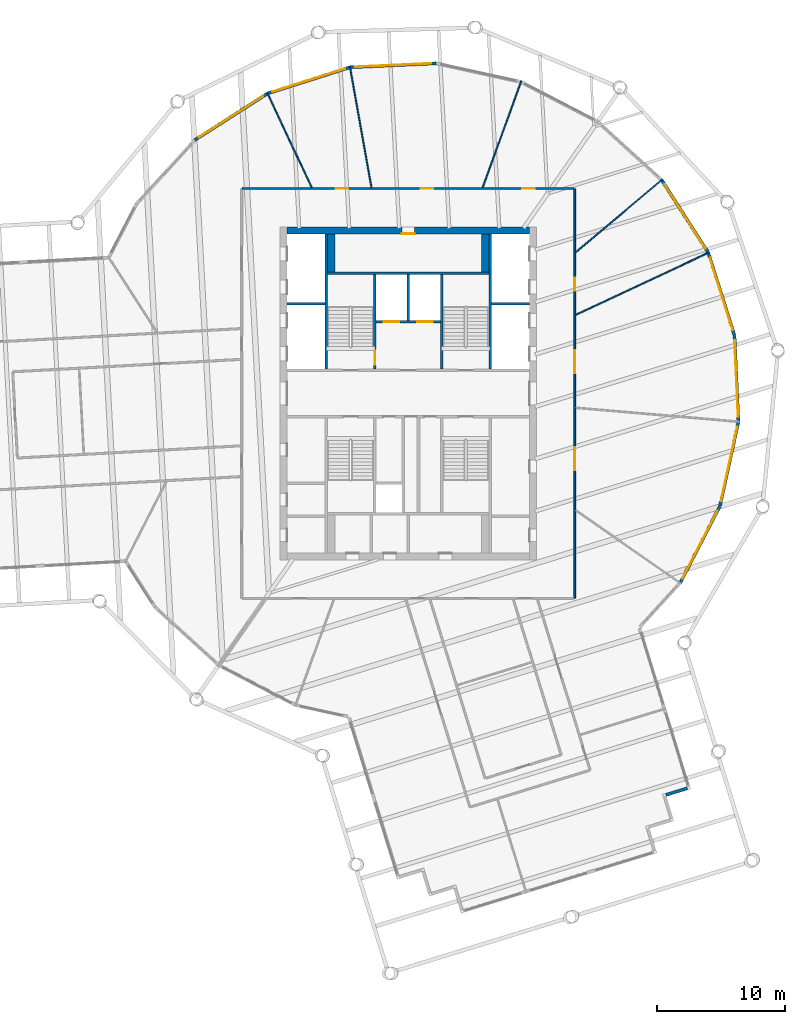
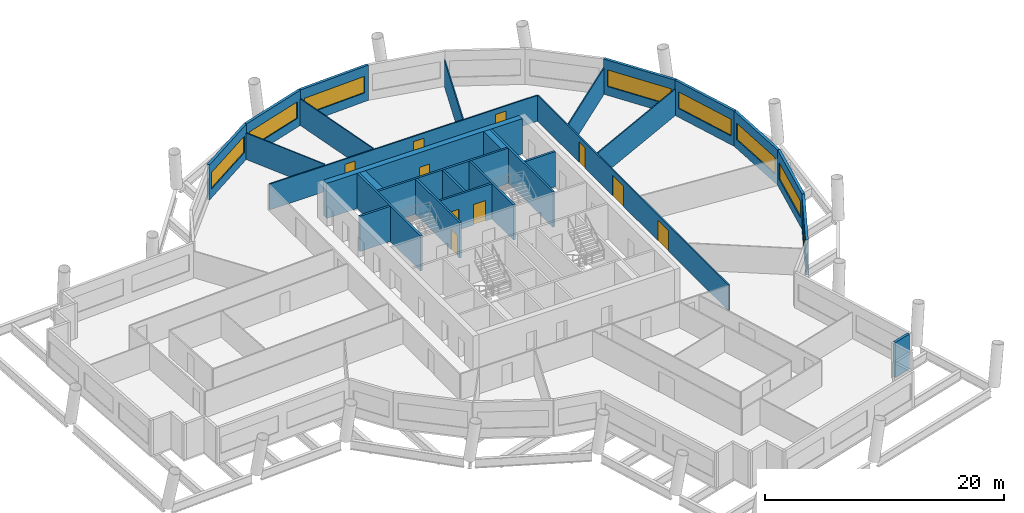
# One storey, part 6 of 11: 28 walls, 10 doors, 8 windows, 18 openings.
"""IFC4 building model written with IfcOpenShell, lengths in metres."""

from ifc_helpers import new_model, si_unit, direction, frame, frame_2d, origin, place, context, subcontext, project, spatial, rectangle, extrude, material, layer, layer_set, type_object, element, fill, save


model = new_model("IFC4")

# Units and contexts
model_context = context("Model", 3, precision=1e-05, world=origin(), true_north=direction((0.0, 1.0)))
body_context = subcontext(model_context, "Body", "Model", "MODEL_VIEW")
ifc_project = project(units=[si_unit("LENGTHUNIT", "METRE"), si_unit("AREAUNIT", "SQUARE_METRE"), si_unit("VOLUMEUNIT", "CUBIC_METRE"), si_unit("PLANEANGLEUNIT", "RADIAN"), si_unit("MASSUNIT", "GRAM", prefix="KILO")], contexts=[model_context])

# Site, building, storey
site_placement = place(None, origin())
site = spatial("IfcSite", under=ifc_project, at=site_placement, CompositionType="ELEMENT")
building_placement = place(site_placement, origin())
building = spatial("IfcBuilding", under=site, at=building_placement, Name="Tarsis Ring Headquarters", CompositionType="ELEMENT")
storey_placement = place(building_placement, frame((0.0, 0.0, 298.10009765625)))
storey = spatial("IfcBuildingStorey", under=building, at=storey_placement, Name="L70", CompositionType="ELEMENT", Elevation=298.10009765625)

# Wall, opening, door
ifc_material_1 = material(Name="Concrete C50/60", Category="concrete")
ifc_layer_1 = layer(ifc_material_1, 0.550048828125)
ifc_layer_set_1 = layer_set([ifc_layer_1], Name="Core wall 550 C50/60")
wall_type_1 = type_object("IfcWallType", Name="Core wall 550 C50/60", PredefinedType="SHEAR", material=ifc_layer_set_1)
wall_1_placement = place(storey_placement, frame((-9.449951171875, 12.72509765625, 0.0), z_axis=(0.0, 0.0, 1.0), x_axis=(1.0, 0.0, 0.0)))
wall_1 = element("IfcWall", 1, at=wall_1_placement, inside=storey, type_object=wall_type_1, Name="Core wall ON", PredefinedType="SHEAR", context=body_context, shape_type="SweptSolid", body=[
    extrude(rectangle(XDim=18.89990234375, YDim=0.550048828125, at=frame_2d((9.449951171875, 0.0))), origin(), (0.0, 0.0, 1.0), 3.599853515625),
])
opening_1_placement = place(wall_1_placement, frame((8.949951171875, 0.0, 0.0)))
opening_1 = element("IfcOpeningElement", 2, at=opening_1_placement, cuts=wall_1, Name="Opening L70-C16", PredefinedType="OPENING", context=body_context, shape_type="SweptSolid", body=[
    extrude(rectangle(XDim=1.0, YDim=2.10009765625, at=frame_2d((0.5, 1.050048828125))), frame((0.0, 0.284912109375, 0.0), z_axis=(0.0, -1.0, 0.0), x_axis=(1.0, 0.0, 0.0)), (0.0, 0.0, 1.0), 0.570068359375),
])
ifc_material_2 = material(Name="Steel S355", Category="steel")
door_type_1 = type_object("IfcDoorType", Name="Core room door 1000x2100", OperationType="SINGLE_SWING_LEFT", PredefinedType="DOOR", material=ifc_material_2)
door_1_placement = place(opening_1_placement, origin())
door_1 = element("IfcDoor", 3, at=door_1_placement, inside=storey, type_object=door_type_1, Name="Core room door L70", OperationType="SINGLE_SWING_LEFT", OverallHeight=2.10009765625, OverallWidth=1.0, PredefinedType="DOOR", context=body_context, shape_type="SweptSolid", body=[
    extrude(rectangle(XDim=1.0, YDim=2.10009765625, at=frame_2d((0.5, 1.050048828125))), frame((0.0, -0.22509765625, 0.0), z_axis=(0.0, -1.0, 0.0), x_axis=(1.0, 0.0, 0.0)), (0.0, 0.0, 1.0), 0.050048828125),
])
fill(opening_1, door_1)

# Walls
ifc_material_3 = material(Name="Gypsum board on steel studs", Category="steel")
ifc_layer_2 = layer(ifc_material_3, 0.10009765625)
ifc_layer_set_2 = layer_set([ifc_layer_2], Name="FL partition 100 unrated")
wall_type_2 = type_object("IfcWallType", Name="FL partition 100 unrated", PredefinedType="PARTITIONING", material=ifc_layer_set_2)
wall_2_placement = place(storey_placement, frame((13.072509765625, 6.129150390625, 0.0), z_axis=(0.0, 0.0, 1.0), x_axis=(0.905414860651, 0.424527890853, 0.0)))
element("IfcWall", 4, at=wall_2_placement, inside=storey, type_object=wall_type_2, Name="Partition PW3", PredefinedType="PARTITIONING", context=body_context, shape_type="SweptSolid", body=[
    extrude(rectangle(XDim=11.509765625, YDim=0.10009765625, at=frame_2d((5.7548828125, 0.0))), origin(), (0.0, 0.0, 1.0), 2.699951171875),
])
wall_3_placement = place(storey_placement, frame((-4.559326171875, 25.544189453125, 0.0), z_axis=(0.0, 0.0, 1.0), x_axis=(0.17570372565, -0.984443091698, 0.0)))
element("IfcWall", 5, at=wall_3_placement, inside=storey, type_object=wall_type_2, Name="Partition PW3", PredefinedType="PARTITIONING", context=body_context, shape_type="SweptSolid", body=[
    extrude(rectangle(XDim=9.625, YDim=0.10009765625, at=frame_2d((4.8125, 0.0))), origin(), (0.0, 0.0, 1.0), 2.699951171875),
])
wall_4_placement = place(storey_placement, frame((13.083984375, 11.025634765625, 0.0), z_axis=(0.0, 0.0, 1.0), x_axis=(0.764709145904, 0.644375606436, 0.0)))
element("IfcWall", 6, at=wall_4_placement, inside=storey, type_object=wall_type_2, Name="Partition PW3", PredefinedType="PARTITIONING", context=body_context, shape_type="SweptSolid", body=[
    extrude(rectangle(XDim=8.837646484375, YDim=0.10009765625, at=frame_2d((4.4189453125, 0.0))), origin(), (0.0, 0.0, 1.0), 2.699951171875),
])
wall_5_placement = place(storey_placement, frame((5.812744140625, 16.0751953125, 0.0), z_axis=(0.0, 0.0, 1.0), x_axis=(0.340042176136, 0.940410186274, 0.0)))
element("IfcWall", 7, at=wall_5_placement, inside=storey, type_object=wall_type_2, Name="Partition PW3", PredefinedType="PARTITIONING", context=body_context, shape_type="SweptSolid", body=[
    extrude(rectangle(XDim=8.85400390625, YDim=0.10009765625, at=frame_2d((4.427001953125, 0.0))), origin(), (0.0, 0.0, 1.0), 2.699951171875),
])
wall_6_placement = place(storey_placement, frame((-11.015380859375, 23.49365234375, 0.0), z_axis=(0.0, 0.0, 1.0), x_axis=(0.424541475271, -0.905408491111, 0.0)))
element("IfcWall", 8, at=wall_6_placement, inside=storey, type_object=wall_type_2, Name="Partition PW3", PredefinedType="PARTITIONING", context=body_context, shape_type="SweptSolid", body=[
    extrude(rectangle(XDim=8.196533203125, YDim=0.10009765625, at=frame_2d((4.09814453125, 0.0))), origin(), (0.0, 0.0, 1.0), 2.699951171875),
])

# Wall, openings, doors
ifc_layer_3 = layer(ifc_material_3, 0.125)
ifc_layer_set_3 = layer_set([ifc_layer_3], Name="FL partition 125 EI 60 H2630")
wall_type_3 = type_object("IfcWallType", Name="FL partition 125 EI 60 H2630", PredefinedType="PARTITIONING", material=ifc_layer_set_3)
wall_7_placement = place(storey_placement, frame((13.0, -16.0, 0.0), z_axis=(0.0, 0.0, 1.0), x_axis=(0.0, 1.0, 0.0)))
wall_7 = element("IfcWall", 9, at=wall_7_placement, inside=storey, type_object=wall_type_3, Name="Partition PW1H263", PredefinedType="PARTITIONING", context=body_context, shape_type="SweptSolid", body=[
    extrude(rectangle(XDim=32.0, YDim=0.125, at=frame_2d((16.0, 0.0))), origin(), (0.0, 0.0, 1.0), 2.6298828125),
])
opening_2_placement = place(wall_7_placement, frame((24.02490234375, 0.0, 0.0)))
opening_2 = element("IfcOpeningElement", 10, at=opening_2_placement, cuts=wall_7, Name="Opening D70.07", PredefinedType="OPENING", context=body_context, shape_type="SweptSolid", body=[
    extrude(rectangle(XDim=1.0, YDim=2.10009765625, at=frame_2d((0.5, 1.050048828125))), frame((0.0, 0.072509765625, 0.0), z_axis=(0.0, -1.0, 0.0), x_axis=(1.0, 0.0, 0.0)), (0.0, 0.0, 1.0), 0.14501953125),
])
opening_3_placement = place(wall_7_placement, frame((17.592529296875, 0.0, 0.0)))
opening_3 = element("IfcOpeningElement", 11, at=opening_3_placement, cuts=wall_7, Name="Opening D70.08", PredefinedType="OPENING", context=body_context, shape_type="SweptSolid", body=[
    extrude(rectangle(XDim=1.800048828125, YDim=2.10009765625, at=frame_2d((0.89990234375, 1.050048828125))), frame((0.0, 0.072509765625, 0.0), z_axis=(0.0, -1.0, 0.0), x_axis=(1.0, 0.0, 0.0)), (0.0, 0.0, 1.0), 0.14501953125),
])
opening_4_placement = place(wall_7_placement, frame((10.013916015625, 0.0, 0.0)))
opening_4 = element("IfcOpeningElement", 12, at=opening_4_placement, cuts=wall_7, Name="Opening D70.09", PredefinedType="OPENING", context=body_context, shape_type="SweptSolid", body=[
    extrude(rectangle(XDim=1.800048828125, YDim=2.10009765625, at=frame_2d((0.89990234375, 1.050048828125))), frame((0.0, 0.072509765625, 0.0), z_axis=(0.0, -1.0, 0.0), x_axis=(1.0, 0.0, 0.0)), (0.0, 0.0, 1.0), 0.14501953125),
])
ifc_material_4 = material(Name="Fire-rated timber door leaf in steel frame", Category="steel")
door_type_2 = type_object("IfcDoorType", Name="FL door FD60-1000", OperationType="NOTDEFINED", PredefinedType="DOOR", material=ifc_material_4)
door_2_placement = place(opening_2_placement, origin())
door_2 = element("IfcDoor", 13, at=door_2_placement, inside=storey, type_object=door_type_2, Name="Door D70.07", OperationType="SINGLE_SWING_LEFT", OverallHeight=2.10009765625, OverallWidth=1.0, PredefinedType="DOOR", context=body_context, shape_type="SweptSolid", body=[
    extrude(rectangle(XDim=1.0, YDim=2.10009765625, at=frame_2d((0.5, 1.050048828125))), frame((0.0, 0.02490234375, 0.0), z_axis=(0.0, -1.0, 0.0), x_axis=(1.0, 0.0, 0.0)), (0.0, 0.0, 1.0), 0.050048828125),
])
fill(opening_2, door_2)
door_type_3 = type_object("IfcDoorType", Name="FL door FD60-1800", OperationType="DOUBLE_DOOR_SINGLE_SWING", PredefinedType="DOOR", material=ifc_material_4)
door_3_placement = place(opening_3_placement, origin())
door_3 = element("IfcDoor", 14, at=door_3_placement, inside=storey, type_object=door_type_3, Name="Door D70.08", OperationType="DOUBLE_DOOR_SINGLE_SWING", OverallHeight=2.10009765625, OverallWidth=1.800048828125, PredefinedType="DOOR", context=body_context, shape_type="SweptSolid", body=[
    extrude(rectangle(XDim=1.800048828125, YDim=2.10009765625, at=frame_2d((0.89990234375, 1.050048828125))), frame((0.0, 0.02490234375, 0.0), z_axis=(0.0, -1.0, 0.0), x_axis=(1.0, 0.0, 0.0)), (0.0, 0.0, 1.0), 0.050048828125),
])
fill(opening_3, door_3)
door_4_placement = place(opening_4_placement, origin())
door_4 = element("IfcDoor", 15, at=door_4_placement, inside=storey, type_object=door_type_3, Name="Door D70.09", OperationType="DOUBLE_DOOR_SINGLE_SWING", OverallHeight=2.10009765625, OverallWidth=1.800048828125, PredefinedType="DOOR", context=body_context, shape_type="SweptSolid", body=[
    extrude(rectangle(XDim=1.800048828125, YDim=2.10009765625, at=frame_2d((0.89990234375, 1.050048828125))), frame((0.0, 0.02490234375, 0.0), z_axis=(0.0, -1.0, 0.0), x_axis=(1.0, 0.0, 0.0)), (0.0, 0.0, 1.0), 0.050048828125),
])
fill(opening_4, door_4)

wall_8_placement = place(storey_placement, frame((-12.93994140625, 16.0, 0.0), z_axis=(0.0, 0.0, 1.0), x_axis=(1.0, 0.0, 0.0)))
wall_8 = element("IfcWall", 16, at=wall_8_placement, inside=storey, type_object=wall_type_3, Name="Partition PW1H263", PredefinedType="PARTITIONING", context=body_context, shape_type="SweptSolid", body=[
    extrude(rectangle(XDim=25.8798828125, YDim=0.125, at=frame_2d((12.93994140625, 0.0))), origin(), (0.0, 0.0, 1.0), 2.6298828125),
])
opening_5_placement = place(wall_8_placement, frame((7.26123046875, 0.0, 0.0)))
opening_5 = element("IfcOpeningElement", 17, at=opening_5_placement, cuts=wall_8, Name="Opening D70.04", PredefinedType="OPENING", context=body_context, shape_type="SweptSolid", body=[
    extrude(rectangle(XDim=1.0, YDim=2.10009765625, at=frame_2d((0.5, 1.050048828125))), frame((0.0, 0.072509765625, 0.0), z_axis=(0.0, -1.0, 0.0), x_axis=(1.0, 0.0, 0.0)), (0.0, 0.0, 1.0), 0.14501953125),
])
opening_6_placement = place(wall_8_placement, frame((13.90478515625, 0.0, 0.0)))
opening_6 = element("IfcOpeningElement", 18, at=opening_6_placement, cuts=wall_8, Name="Opening D70.05", PredefinedType="OPENING", context=body_context, shape_type="SweptSolid", body=[
    extrude(rectangle(XDim=1.0, YDim=2.10009765625, at=frame_2d((0.5, 1.050048828125))), frame((0.0, 0.072509765625, 0.0), z_axis=(0.0, -1.0, 0.0), x_axis=(1.0, 0.0, 0.0)), (0.0, 0.0, 1.0), 0.14501953125),
])
opening_7_placement = place(wall_8_placement, frame((21.832763671875, 0.0, 0.0)))
opening_7 = element("IfcOpeningElement", 19, at=opening_7_placement, cuts=wall_8, Name="Opening D70.06", PredefinedType="OPENING", context=body_context, shape_type="SweptSolid", body=[
    extrude(rectangle(XDim=1.0, YDim=2.10009765625, at=frame_2d((0.5, 1.050048828125))), frame((0.0, 0.072509765625, 0.0), z_axis=(0.0, -1.0, 0.0), x_axis=(1.0, 0.0, 0.0)), (0.0, 0.0, 1.0), 0.14501953125),
])
door_5_placement = place(opening_5_placement, origin())
door_5 = element("IfcDoor", 20, at=door_5_placement, inside=storey, type_object=door_type_2, Name="Door D70.04", OperationType="SINGLE_SWING_RIGHT", OverallHeight=2.10009765625, OverallWidth=1.0, PredefinedType="DOOR", context=body_context, shape_type="SweptSolid", body=[
    extrude(rectangle(XDim=1.0, YDim=2.10009765625, at=frame_2d((0.5, 1.050048828125))), frame((0.0, 0.02490234375, 0.0), z_axis=(0.0, -1.0, 0.0), x_axis=(1.0, 0.0, 0.0)), (0.0, 0.0, 1.0), 0.050048828125),
])
fill(opening_5, door_5)
door_6_placement = place(opening_6_placement, origin())
door_6 = element("IfcDoor", 21, at=door_6_placement, inside=storey, type_object=door_type_2, Name="Door D70.05", OperationType="SINGLE_SWING_LEFT", OverallHeight=2.10009765625, OverallWidth=1.0, PredefinedType="DOOR", context=body_context, shape_type="SweptSolid", body=[
    extrude(rectangle(XDim=1.0, YDim=2.10009765625, at=frame_2d((0.5, 1.050048828125))), frame((0.0, 0.02490234375, 0.0), z_axis=(0.0, -1.0, 0.0), x_axis=(1.0, 0.0, 0.0)), (0.0, 0.0, 1.0), 0.050048828125),
])
fill(opening_6, door_6)
door_7_placement = place(opening_7_placement, origin())
door_7 = element("IfcDoor", 22, at=door_7_placement, inside=storey, type_object=door_type_2, Name="Door D70.06", OperationType="SINGLE_SWING_RIGHT", OverallHeight=2.10009765625, OverallWidth=1.0, PredefinedType="DOOR", context=body_context, shape_type="SweptSolid", body=[
    extrude(rectangle(XDim=1.0, YDim=2.10009765625, at=frame_2d((0.5, 1.050048828125))), frame((0.0, 0.02490234375, 0.0), z_axis=(0.0, -1.0, 0.0), x_axis=(1.0, 0.0, 0.0)), (0.0, 0.0, 1.0), 0.050048828125),
])
fill(opening_7, door_7)

# Wall
ifc_material_5 = material(Name="Terracotta clad insulated panel wall", Category="masonry")
ifc_layer_4 = layer(ifc_material_5, 0.25)
ifc_layer_set_4 = layer_set([ifc_layer_4], Name="Facade wall terracotta panel 250")
wall_type_4 = type_object("IfcWallType", Name="Facade wall terracotta panel 250", PredefinedType="STANDARD", material=ifc_layer_set_4)
wall_9_placement = place(storey_placement, frame((20.11767578125, -31.341552734375, 0.0), z_axis=(0.0, 0.0, 1.0), x_axis=(0.955688466238, 0.294379950914, 0.0)))
element("IfcWall", 23, at=wall_9_placement, inside=storey, type_object=wall_type_4, Name="External wall L70-15", PredefinedType="STANDARD", context=body_context, shape_type="SweptSolid", body=[
    extrude(rectangle(XDim=1.75, YDim=0.25, at=frame_2d((0.875, 0.0))), origin(), (0.0, 0.0, 1.0), 3.599853515625),
])

# Wall, opening, window
wall_10_placement = place(storey_placement, frame((21.2333984375, -14.78173828125, 0.0), z_axis=(0.0, 0.0, 1.0), x_axis=(0.459866522221, 0.887988052701, 0.0)))
wall_10 = element("IfcWall", 24, at=wall_10_placement, inside=storey, type_object=wall_type_4, Name="External wall L70-18", PredefinedType="STANDARD", context=body_context, shape_type="SweptSolid", body=[
    extrude(rectangle(XDim=6.7216796875, YDim=0.25, at=frame_2d((3.36083984375, 0.0))), origin(), (0.0, 0.0, 1.0), 3.599853515625),
])
opening_8_placement = place(wall_10_placement, frame((0.3857421875, 0.0, 0.89990234375)))
opening_8 = element("IfcOpeningElement", 25, at=opening_8_placement, cuts=wall_10, Name="Opening WN07", PredefinedType="OPENING", context=body_context, shape_type="SweptSolid", body=[
    extrude(rectangle(XDim=5.949951171875, YDim=1.699951171875, at=frame_2d((2.97509765625, 0.85009765625))), frame((0.0, 0.135009765625, 0.0), z_axis=(0.0, -1.0, 0.0), x_axis=(1.0, 0.0, 0.0)), (0.0, 0.0, 1.0), 0.27001953125),
])
ifc_material_6 = material(Name="Aluminium framed double glazing", Category="aluminium")
window_type = type_object("IfcWindowType", Name="Facade window 5950 x 1700", PartitioningType="SINGLE_PANEL", PredefinedType="WINDOW", material=ifc_material_6)
window_1_placement = place(opening_8_placement, origin())
window_1 = element("IfcWindow", 26, at=window_1_placement, inside=storey, type_object=window_type, Name="Window L70-18.1", OverallHeight=1.699951171875, OverallWidth=5.949951171875, PartitioningType="SINGLE_PANEL", PredefinedType="WINDOW", context=body_context, shape_type="SweptSolid", body=[
    extrude(rectangle(XDim=5.949951171875, YDim=1.699951171875, at=frame_2d((2.97509765625, 0.85009765625))), frame((0.0, 0.030029296875, 0.0), z_axis=(0.0, -1.0, 0.0), x_axis=(1.0, 0.0, 0.0)), (0.0, 0.0, 1.0), 0.06005859375),
])
fill(opening_8, window_1)

wall_11_placement = place(storey_placement, frame((24.33544921875, -8.782470703125, 0.0), z_axis=(0.0, 0.0, 1.0), x_axis=(0.214403069068, 0.976745270771, 0.0)))
wall_11 = element("IfcWall", 27, at=wall_11_placement, inside=storey, type_object=wall_type_4, Name="External wall L70-19", PredefinedType="STANDARD", context=body_context, shape_type="SweptSolid", body=[
    extrude(rectangle(XDim=6.7216796875, YDim=0.25, at=frame_2d((3.36083984375, 0.0))), origin(), (0.0, 0.0, 1.0), 3.599853515625),
])
opening_9_placement = place(wall_11_placement, frame((0.3857421875, 0.0, 0.89990234375)))
opening_9 = element("IfcOpeningElement", 28, at=opening_9_placement, cuts=wall_11, Name="Opening WN07", PredefinedType="OPENING", context=body_context, shape_type="SweptSolid", body=[
    extrude(rectangle(XDim=5.949951171875, YDim=1.699951171875, at=frame_2d((2.97509765625, 0.85009765625))), frame((0.0, 0.135009765625, 0.0), z_axis=(0.0, -1.0, 0.0), x_axis=(1.0, 0.0, 0.0)), (0.0, 0.0, 1.0), 0.27001953125),
])
window_2_placement = place(opening_9_placement, origin())
window_2 = element("IfcWindow", 29, at=window_2_placement, inside=storey, type_object=window_type, Name="Window L70-19.1", OverallHeight=1.699951171875, OverallWidth=5.949951171875, PartitioningType="SINGLE_PANEL", PredefinedType="WINDOW", context=body_context, shape_type="SweptSolid", body=[
    extrude(rectangle(XDim=5.949951171875, YDim=1.699951171875, at=frame_2d((2.97509765625, 0.85009765625))), frame((0.0, 0.030029296875, 0.0), z_axis=(0.0, -1.0, 0.0), x_axis=(1.0, 0.0, 0.0)), (0.0, 0.0, 1.0), 0.06005859375),
])
fill(opening_9, window_2)

wall_12_placement = place(storey_placement, frame((25.779296875, -2.1845703125, 0.0), z_axis=(0.0, 0.0, 1.0), x_axis=(-0.045694348716, 0.998955467724, 0.0)))
wall_12 = element("IfcWall", 30, at=wall_12_placement, inside=storey, type_object=wall_type_4, Name="External wall L70-20", PredefinedType="STANDARD", context=body_context, shape_type="SweptSolid", body=[
    extrude(rectangle(XDim=6.721435546875, YDim=0.25, at=frame_2d((3.36083984375, 0.0))), origin(), (0.0, 0.0, 1.0), 3.599853515625),
])
opening_10_placement = place(wall_12_placement, frame((0.3857421875, 0.0, 0.89990234375)))
opening_10 = element("IfcOpeningElement", 31, at=opening_10_placement, cuts=wall_12, Name="Opening WN07", PredefinedType="OPENING", context=body_context, shape_type="SweptSolid", body=[
    extrude(rectangle(XDim=5.949951171875, YDim=1.699951171875, at=frame_2d((2.97509765625, 0.85009765625))), frame((0.0, 0.135009765625, 0.0), z_axis=(0.0, -1.0, 0.0), x_axis=(1.0, 0.0, 0.0)), (0.0, 0.0, 1.0), 0.27001953125),
])
window_3_placement = place(opening_10_placement, origin())
window_3 = element("IfcWindow", 32, at=window_3_placement, inside=storey, type_object=window_type, Name="Window L70-20.1", OverallHeight=1.699951171875, OverallWidth=5.949951171875, PartitioningType="SINGLE_PANEL", PredefinedType="WINDOW", context=body_context, shape_type="SweptSolid", body=[
    extrude(rectangle(XDim=5.949951171875, YDim=1.699951171875, at=frame_2d((2.97509765625, 0.85009765625))), frame((0.0, 0.030029296875, 0.0), z_axis=(0.0, -1.0, 0.0), x_axis=(1.0, 0.0, 0.0)), (0.0, 0.0, 1.0), 0.06005859375),
])
fill(opening_10, window_3)

wall_13_placement = place(storey_placement, frame((25.46630859375, 4.56201171875, 0.0), z_axis=(0.0, 0.0, 1.0), x_axis=(-0.302672883638, 0.95309449978, 0.0)))
wall_13 = element("IfcWall", 33, at=wall_13_placement, inside=storey, type_object=wall_type_4, Name="External wall L70-21", PredefinedType="STANDARD", context=body_context, shape_type="SweptSolid", body=[
    extrude(rectangle(XDim=6.721435546875, YDim=0.25, at=frame_2d((3.36083984375, 0.0))), origin(), (0.0, 0.0, 1.0), 3.599853515625),
])
opening_11_placement = place(wall_13_placement, frame((0.3857421875, 0.0, 0.89990234375)))
opening_11 = element("IfcOpeningElement", 34, at=opening_11_placement, cuts=wall_13, Name="Opening WN07", PredefinedType="OPENING", context=body_context, shape_type="SweptSolid", body=[
    extrude(rectangle(XDim=5.949951171875, YDim=1.699951171875, at=frame_2d((2.97509765625, 0.85009765625))), frame((0.0, 0.135009765625, 0.0), z_axis=(0.0, -1.0, 0.0), x_axis=(1.0, 0.0, 0.0)), (0.0, 0.0, 1.0), 0.27001953125),
])
window_4_placement = place(opening_11_placement, origin())
window_4 = element("IfcWindow", 35, at=window_4_placement, inside=storey, type_object=window_type, Name="Window L70-21.1", OverallHeight=1.699951171875, OverallWidth=5.949951171875, PartitioningType="SINGLE_PANEL", PredefinedType="WINDOW", context=body_context, shape_type="SweptSolid", body=[
    extrude(rectangle(XDim=5.949951171875, YDim=1.699951171875, at=frame_2d((2.97509765625, 0.85009765625))), frame((0.0, 0.030029296875, 0.0), z_axis=(0.0, -1.0, 0.0), x_axis=(1.0, 0.0, 0.0)), (0.0, 0.0, 1.0), 0.06005859375),
])
fill(opening_11, window_4)

wall_14_placement = place(storey_placement, frame((23.41796875, 10.997802734375, 0.0), z_axis=(0.0, 0.0, 1.0), x_axis=(-0.539071218804, 0.842260186081, 0.0)))
wall_14 = element("IfcWall", 36, at=wall_14_placement, inside=storey, type_object=wall_type_4, Name="External wall L70-22", PredefinedType="STANDARD", context=body_context, shape_type="SweptSolid", body=[
    extrude(rectangle(XDim=6.721435546875, YDim=0.25, at=frame_2d((3.36083984375, 0.0))), origin(), (0.0, 0.0, 1.0), 3.599853515625),
])
opening_12_placement = place(wall_14_placement, frame((0.3857421875, 0.0, 0.89990234375)))
opening_12 = element("IfcOpeningElement", 37, at=opening_12_placement, cuts=wall_14, Name="Opening WN07", PredefinedType="OPENING", context=body_context, shape_type="SweptSolid", body=[
    extrude(rectangle(XDim=5.949951171875, YDim=1.699951171875, at=frame_2d((2.97509765625, 0.85009765625))), frame((0.0, 0.135009765625, 0.0), z_axis=(0.0, -1.0, 0.0), x_axis=(1.0, 0.0, 0.0)), (0.0, 0.0, 1.0), 0.27001953125),
])
window_5_placement = place(opening_12_placement, origin())
window_5 = element("IfcWindow", 38, at=window_5_placement, inside=storey, type_object=window_type, Name="Window L70-22.1", OverallHeight=1.699951171875, OverallWidth=5.949951171875, PartitioningType="SINGLE_PANEL", PredefinedType="WINDOW", context=body_context, shape_type="SweptSolid", body=[
    extrude(rectangle(XDim=5.949951171875, YDim=1.699951171875, at=frame_2d((2.97509765625, 0.85009765625))), frame((0.0, 0.030029296875, 0.0), z_axis=(0.0, -1.0, 0.0), x_axis=(1.0, 0.0, 0.0)), (0.0, 0.0, 1.0), 0.06005859375),
])
fill(opening_12, window_5)

wall_15_placement = place(storey_placement, frame((2.1845703125, 25.779296875, 0.0), z_axis=(0.0, 0.0, 1.0), x_axis=(-0.998955467724, -0.045694348716, 0.0)))
wall_15 = element("IfcWall", 39, at=wall_15_placement, inside=storey, type_object=wall_type_4, Name="External wall L70-26", PredefinedType="STANDARD", context=body_context, shape_type="SweptSolid", body=[
    extrude(rectangle(XDim=6.721435546875, YDim=0.25, at=frame_2d((3.36083984375, 0.0))), origin(), (0.0, 0.0, 1.0), 3.599853515625),
])
opening_13_placement = place(wall_15_placement, frame((0.3857421875, 0.0, 0.89990234375)))
opening_13 = element("IfcOpeningElement", 40, at=opening_13_placement, cuts=wall_15, Name="Opening WN07", PredefinedType="OPENING", context=body_context, shape_type="SweptSolid", body=[
    extrude(rectangle(XDim=5.949951171875, YDim=1.699951171875, at=frame_2d((2.97509765625, 0.85009765625))), frame((0.0, 0.135009765625, 0.0), z_axis=(0.0, -1.0, 0.0), x_axis=(1.0, 0.0, 0.0)), (0.0, 0.0, 1.0), 0.27001953125),
])
window_6_placement = place(opening_13_placement, origin())
window_6 = element("IfcWindow", 41, at=window_6_placement, inside=storey, type_object=window_type, Name="Window L70-26.1", OverallHeight=1.699951171875, OverallWidth=5.949951171875, PartitioningType="SINGLE_PANEL", PredefinedType="WINDOW", context=body_context, shape_type="SweptSolid", body=[
    extrude(rectangle(XDim=5.949951171875, YDim=1.699951171875, at=frame_2d((2.97509765625, 0.85009765625))), frame((0.0, 0.030029296875, 0.0), z_axis=(0.0, -1.0, 0.0), x_axis=(1.0, 0.0, 0.0)), (0.0, 0.0, 1.0), 0.06005859375),
])
fill(opening_13, window_6)

wall_16_placement = place(storey_placement, frame((-4.56201171875, 25.46630859375, 0.0), z_axis=(0.0, 0.0, 1.0), x_axis=(-0.95309449978, -0.302672883638, 0.0)))
wall_16 = element("IfcWall", 42, at=wall_16_placement, inside=storey, type_object=wall_type_4, Name="External wall L70-27", PredefinedType="STANDARD", context=body_context, shape_type="SweptSolid", body=[
    extrude(rectangle(XDim=6.721435546875, YDim=0.25, at=frame_2d((3.36083984375, 0.0))), origin(), (0.0, 0.0, 1.0), 3.599853515625),
])
opening_14_placement = place(wall_16_placement, frame((0.3857421875, 0.0, 0.89990234375)))
opening_14 = element("IfcOpeningElement", 43, at=opening_14_placement, cuts=wall_16, Name="Opening WN07", PredefinedType="OPENING", context=body_context, shape_type="SweptSolid", body=[
    extrude(rectangle(XDim=5.949951171875, YDim=1.699951171875, at=frame_2d((2.97509765625, 0.85009765625))), frame((0.0, 0.135009765625, 0.0), z_axis=(0.0, -1.0, 0.0), x_axis=(1.0, 0.0, 0.0)), (0.0, 0.0, 1.0), 0.27001953125),
])
window_7_placement = place(opening_14_placement, origin())
window_7 = element("IfcWindow", 44, at=window_7_placement, inside=storey, type_object=window_type, Name="Window L70-27.1", OverallHeight=1.699951171875, OverallWidth=5.949951171875, PartitioningType="SINGLE_PANEL", PredefinedType="WINDOW", context=body_context, shape_type="SweptSolid", body=[
    extrude(rectangle(XDim=5.949951171875, YDim=1.699951171875, at=frame_2d((2.97509765625, 0.85009765625))), frame((0.0, 0.030029296875, 0.0), z_axis=(0.0, -1.0, 0.0), x_axis=(1.0, 0.0, 0.0)), (0.0, 0.0, 1.0), 0.06005859375),
])
fill(opening_14, window_7)

wall_17_placement = place(storey_placement, frame((-10.997802734375, 23.41796875, 0.0), z_axis=(0.0, 0.0, 1.0), x_axis=(-0.842260186081, -0.539071218804, 0.0)))
wall_17 = element("IfcWall", 45, at=wall_17_placement, inside=storey, type_object=wall_type_4, Name="External wall L70-28", PredefinedType="STANDARD", context=body_context, shape_type="SweptSolid", body=[
    extrude(rectangle(XDim=6.721435546875, YDim=0.25, at=frame_2d((3.36083984375, 0.0))), origin(), (0.0, 0.0, 1.0), 3.599853515625),
])
opening_15_placement = place(wall_17_placement, frame((0.3857421875, 0.0, 0.89990234375)))
opening_15 = element("IfcOpeningElement", 46, at=opening_15_placement, cuts=wall_17, Name="Opening WN07", PredefinedType="OPENING", context=body_context, shape_type="SweptSolid", body=[
    extrude(rectangle(XDim=5.949951171875, YDim=1.699951171875, at=frame_2d((2.97509765625, 0.85009765625))), frame((0.0, 0.135009765625, 0.0), z_axis=(0.0, -1.0, 0.0), x_axis=(1.0, 0.0, 0.0)), (0.0, 0.0, 1.0), 0.27001953125),
])
window_8_placement = place(opening_15_placement, origin())
window_8 = element("IfcWindow", 47, at=window_8_placement, inside=storey, type_object=window_type, Name="Window L70-28.1", OverallHeight=1.699951171875, OverallWidth=5.949951171875, PartitioningType="SINGLE_PANEL", PredefinedType="WINDOW", context=body_context, shape_type="SweptSolid", body=[
    extrude(rectangle(XDim=5.949951171875, YDim=1.699951171875, at=frame_2d((2.97509765625, 0.85009765625))), frame((0.0, 0.030029296875, 0.0), z_axis=(0.0, -1.0, 0.0), x_axis=(1.0, 0.0, 0.0)), (0.0, 0.0, 1.0), 0.06005859375),
])
fill(opening_15, window_8)

# Walls
ifc_material_7 = material(Name="Concrete C32/40", Category="concrete")
ifc_layer_5 = layer(ifc_material_7, 0.60009765625)
ifc_layer_set_5 = layer_set([ifc_layer_5], Name="Shaft end wall 600 C32/40")
wall_type_5 = type_object("IfcWallType", Name="Shaft end wall 600 C32/40", PredefinedType="SOLIDWALL", material=ifc_layer_set_5)
for number, where, z_axis, x_axis, name in (
    (48, (-6.0, 9.5, 0.0), (0.0, 0.0, 1.0), (0.0, 1.0, 0.0), "Core shaft wall NNE1"),
    (49, (6.0, 9.5, 0.0), (0.0, 0.0, 1.0), (0.0, 1.0, 0.0), "Core shaft wall NNE2"),
):
    element("IfcWall", number, at=place(storey_placement, frame(where, z_axis=z_axis, x_axis=x_axis)), inside=storey, type_object=wall_type_5, Name=name, PredefinedType="SOLIDWALL", context=body_context, shape_type="SweptSolid", body=[
        extrude(rectangle(XDim=2.949951171875, YDim=0.60009765625, at=frame_2d((1.47509765625, 0.0))), origin(), (0.0, 0.0, 1.0), 3.599853515625),
    ])
ifc_layer_6 = layer(ifc_material_7, 0.199951171875)
ifc_layer_set_6 = layer_set([ifc_layer_6], Name="Shaft wall 200 C32/40")
wall_type_6 = type_object("IfcWallType", Name="Shaft wall 200 C32/40", PredefinedType="SOLIDWALL", material=ifc_layer_set_6)
for number, where, z_axis, x_axis, name in (
    (50, (-6.39990234375, 1.89990234375, 0.0), (0.0, 0.0, 1.0), (0.0, 1.0, 0.0), "Core shaft wall WB2"),
    (51, (6.39990234375, 1.89990234375, 0.0), (0.0, 0.0, 1.0), (0.0, 1.0, 0.0), "Core shaft wall EB2"),
):
    element("IfcWall", number, at=place(storey_placement, frame(where, z_axis=z_axis, x_axis=x_axis)), inside=storey, type_object=wall_type_6, Name=name, PredefinedType="SOLIDWALL", context=body_context, shape_type="SweptSolid", body=[
        extrude(rectangle(XDim=10.550048828125, YDim=0.199951171875, at=frame_2d((5.27490234375, 0.0))), origin(), (0.0, 0.0, 1.0), 3.599853515625),
    ])
wall_18_placement = place(storey_placement, frame((-6.300048828125, 9.39990234375, 0.0), z_axis=(0.0, 0.0, 1.0), x_axis=(1.0, 0.0, 0.0)))
element("IfcWall", 52, at=wall_18_placement, inside=storey, type_object=wall_type_6, Name="Core shaft wall NB", PredefinedType="SOLIDWALL", context=body_context, shape_type="SweptSolid", body=[
    extrude(rectangle(XDim=12.60009765625, YDim=0.199951171875, at=frame_2d((6.300048828125, 0.0))), origin(), (0.0, 0.0, 1.0), 3.599853515625),
])

# Wall, opening, door
wall_19_placement = place(storey_placement, frame((-2.60009765625, 1.89990234375, 0.0), z_axis=(0.0, 0.0, 1.0), x_axis=(0.0, 1.0, 0.0)))
wall_19 = element("IfcWall", 53, at=wall_19_placement, inside=storey, type_object=wall_type_6, Name="Core shaft wall SW1", PredefinedType="SOLIDWALL", context=body_context, shape_type="SweptSolid", body=[
    extrude(rectangle(XDim=7.400146484375, YDim=0.199951171875, at=frame_2d((3.7001953125, 0.0))), origin(), (0.0, 0.0, 1.0), 3.599853515625),
])
opening_16_placement = place(wall_19_placement, frame((0.35009765625, 0.0, 0.0)))
opening_16 = element("IfcOpeningElement", 54, at=opening_16_placement, cuts=wall_19, Name="Opening L70-C28", PredefinedType="OPENING", context=body_context, shape_type="SweptSolid", body=[
    extrude(rectangle(XDim=1.10009765625, YDim=2.10009765625, at=frame_2d((0.550048828125, 1.050048828125))), frame((0.0, 0.10986328125, 0.0), z_axis=(0.0, -1.0, 0.0), x_axis=(1.0, 0.0, 0.0)), (0.0, 0.0, 1.0), 0.219970703125),
])
door_type_4 = type_object("IfcDoorType", Name="Stair door 1100x2100", OperationType="SINGLE_SWING_LEFT", PredefinedType="DOOR", material=ifc_material_2)
door_8_placement = place(opening_16_placement, origin())
door_8 = element("IfcDoor", 55, at=door_8_placement, inside=storey, type_object=door_type_4, Name="Stair door L70", OperationType="SINGLE_SWING_LEFT", OverallHeight=2.10009765625, OverallWidth=1.10009765625, PredefinedType="DOOR", context=body_context, shape_type="SweptSolid", body=[
    extrude(rectangle(XDim=1.10009765625, YDim=2.10009765625, at=frame_2d((0.550048828125, 1.050048828125))), frame((0.0, 0.02490234375, 0.0), z_axis=(0.0, -1.0, 0.0), x_axis=(1.0, 0.0, 0.0)), (0.0, 0.0, 1.0), 0.050048828125),
])
fill(opening_16, door_8)

# Wall
wall_20_placement = place(storey_placement, frame((2.60009765625, 1.89990234375, 0.0), z_axis=(0.0, 0.0, 1.0), x_axis=(0.0, 1.0, 0.0)))
element("IfcWall", 56, at=wall_20_placement, inside=storey, type_object=wall_type_6, Name="Core shaft wall SW2", PredefinedType="SOLIDWALL", context=body_context, shape_type="SweptSolid", body=[
    extrude(rectangle(XDim=7.400146484375, YDim=0.199951171875, at=frame_2d((3.7001953125, 0.0))), origin(), (0.0, 0.0, 1.0), 3.599853515625),
])

# Wall, openings, doors
wall_21_placement = place(storey_placement, frame((-2.5, 5.60009765625, 0.0), z_axis=(0.0, 0.0, 1.0), x_axis=(1.0, 0.0, 0.0)))
wall_21 = element("IfcWall", 57, at=wall_21_placement, inside=storey, type_object=wall_type_6, Name="Core shaft wall FFN", PredefinedType="SOLIDWALL", context=body_context, shape_type="SweptSolid", body=[
    extrude(rectangle(XDim=5.0, YDim=0.199951171875, at=frame_2d((2.5, 0.0))), origin(), (0.0, 0.0, 1.0), 3.599853515625),
])
opening_17_placement = place(wall_21_placement, frame((0.60009765625, 0.0, 0.0)))
opening_17 = element("IfcOpeningElement", 58, at=opening_17_placement, cuts=wall_21, Name="Opening LDF-1", PredefinedType="OPENING", context=body_context, shape_type="SweptSolid", body=[
    extrude(rectangle(XDim=1.199951171875, YDim=2.10009765625, at=frame_2d((0.60009765625, 1.050048828125))), frame((0.0, 0.10986328125, 0.0), z_axis=(0.0, -1.0, 0.0), x_axis=(1.0, 0.0, 0.0)), (0.0, 0.0, 1.0), 0.219970703125),
])
opening_18_placement = place(wall_21_placement, frame((3.199951171875, 0.0, 0.0)))
opening_18 = element("IfcOpeningElement", 59, at=opening_18_placement, cuts=wall_21, Name="Opening LDF-2", PredefinedType="OPENING", context=body_context, shape_type="SweptSolid", body=[
    extrude(rectangle(XDim=1.199951171875, YDim=2.10009765625, at=frame_2d((0.60009765625, 1.050048828125))), frame((0.0, 0.10986328125, 0.0), z_axis=(0.0, -1.0, 0.0), x_axis=(1.0, 0.0, 0.0)), (0.0, 0.0, 1.0), 0.219970703125),
])
door_type_5 = type_object("IfcDoorType", Name="Firefighting landing door 1200x2100", OperationType="SLIDING_TO_LEFT", PredefinedType="DOOR", material=ifc_material_2)
door_9_placement = place(opening_17_placement, origin())
door_9 = element("IfcDoor", 60, at=door_9_placement, inside=storey, type_object=door_type_5, Name="Landing door FF1 L70", OperationType="SLIDING_TO_LEFT", OverallHeight=2.10009765625, OverallWidth=1.199951171875, PredefinedType="DOOR", context=body_context, shape_type="SweptSolid", body=[
    extrude(rectangle(XDim=1.199951171875, YDim=2.10009765625, at=frame_2d((0.60009765625, 1.050048828125))), frame((0.0, 0.02490234375, 0.0), z_axis=(0.0, -1.0, 0.0), x_axis=(1.0, 0.0, 0.0)), (0.0, 0.0, 1.0), 0.050048828125),
])
fill(opening_17, door_9)
door_10_placement = place(opening_18_placement, origin())
door_10 = element("IfcDoor", 61, at=door_10_placement, inside=storey, type_object=door_type_5, Name="Landing door FF2 L70", OperationType="SLIDING_TO_LEFT", OverallHeight=2.10009765625, OverallWidth=1.199951171875, PredefinedType="DOOR", context=body_context, shape_type="SweptSolid", body=[
    extrude(rectangle(XDim=1.199951171875, YDim=2.10009765625, at=frame_2d((0.60009765625, 1.050048828125))), frame((0.0, 0.02490234375, 0.0), z_axis=(0.0, -1.0, 0.0), x_axis=(1.0, 0.0, 0.0)), (0.0, 0.0, 1.0), 0.050048828125),
])
fill(opening_18, door_10)

# Walls
wall_22_placement = place(storey_placement, frame((0.0, 5.699951171875, 0.0), z_axis=(0.0, 0.0, 1.0), x_axis=(0.0, 1.0, 0.0)))
element("IfcWall", 62, at=wall_22_placement, inside=storey, type_object=wall_type_6, Name="Core shaft wall FFD", PredefinedType="SOLIDWALL", context=body_context, shape_type="SweptSolid", body=[
    extrude(rectangle(XDim=3.60009765625, YDim=0.199951171875, at=frame_2d((1.800048828125, 0.0))), origin(), (0.0, 0.0, 1.0), 3.599853515625),
])
for number, where, z_axis, x_axis, name in (
    (63, (-9.449951171875, 7.0, 0.0), (0.0, 0.0, 1.0), (1.0, 0.0, 0.0), "Core shaft wall WD6"),
    (64, (6.5, 7.0, 0.0), (0.0, 0.0, 1.0), (1.0, 0.0, 0.0), "Core shaft wall ED6"),
):
    element("IfcWall", number, at=place(storey_placement, frame(where, z_axis=z_axis, x_axis=x_axis)), inside=storey, type_object=wall_type_6, Name=name, PredefinedType="SOLIDWALL", context=body_context, shape_type="SweptSolid", body=[
        extrude(rectangle(XDim=2.949951171875, YDim=0.199951171875, at=frame_2d((1.47509765625, 0.0))), origin(), (0.0, 0.0, 1.0), 3.599853515625),
    ])

save(model, "model.ifc")
